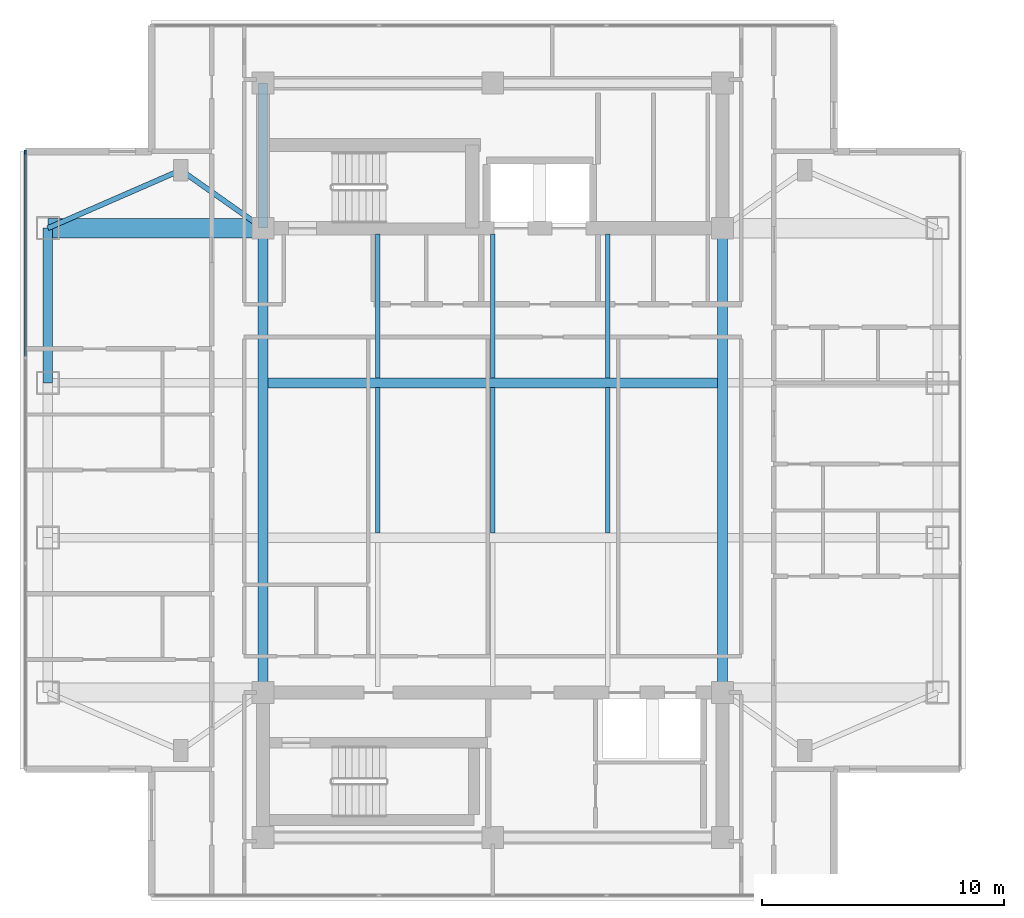
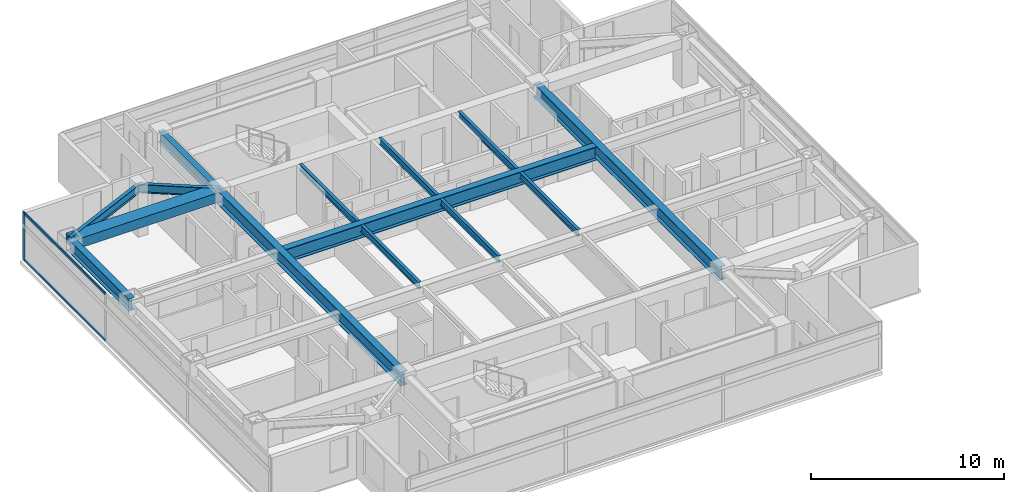
# One storey, part 3 of 23: 14 beams, 3 members, 1 element without a shape of its own.
"""IFC4 building model written with IfcOpenShell, lengths in metres."""

from ifc_helpers import new_model, si_unit, direction, frame, origin, origin_2d, place, context, subcontext, project, spatial, rectangle, i_section, extrude, material, material_profile, profile_set, type_object, element, aggregate, save


model = new_model("IFC4")

# Units and contexts
model_context = context("Model", 3, precision=1e-05, world=origin(), true_north=direction((0.0, 1.0)))
body_context = subcontext(model_context, "Body", "Model", "MODEL_VIEW")
ifc_project = project(units=[si_unit("LENGTHUNIT", "METRE"), si_unit("AREAUNIT", "SQUARE_METRE"), si_unit("VOLUMEUNIT", "CUBIC_METRE"), si_unit("PLANEANGLEUNIT", "RADIAN"), si_unit("MASSUNIT", "GRAM", prefix="KILO")], contexts=[model_context])

# Site, building, storey
site_placement = place(None, origin())
site = spatial("IfcSite", under=ifc_project, at=site_placement, CompositionType="ELEMENT")
building_placement = place(site_placement, origin())
building = spatial("IfcBuilding", under=site, at=building_placement, Name="Mirazonda Arch Towers", CompositionType="ELEMENT")
storey_placement = place(building_placement, frame((0.0, 0.0, 183.64990234375)))
storey = spatial("IfcBuildingStorey", under=building, at=storey_placement, Name="L52", CompositionType="ELEMENT", Elevation=183.64990234375)

# Beams
ifc_material_1 = material(Name="Steel ASTM A992 Grade 50", Category="steel")
ifc_material_profile_1 = material_profile(ifc_material_1, i_section(OverallWidth=0.381103515625, OverallDepth=0.77294921875, WebThickness=0.0166015625, FlangeThickness=0.027099609375, at=origin_2d()), Name="W30X173")
ifc_profile_set_1 = profile_set([ifc_material_profile_1], Name="Steel ASTM A992 Grade 50")
beam_type_1 = type_object("IfcBeamType", Name="BM-EXT-W30X173", PredefinedType="USERDEFINED", material=ifc_profile_set_1)
beam_1_placement = place(storey_placement, frame((2.10009765625, 31.199951171875, 2.66357421875), z_axis=(0.0, 1.0, 0.0), x_axis=(-1.0, 0.0, 0.0)))
element("IfcBeam", 1, at=beam_1_placement, inside=storey, type_object=beam_type_1, Name="L52 Floor Beam BM-T1-L52-NS-W-31", ObjectType="GIRDER", PredefinedType="USERDEFINED", context=body_context, shape_type="SweptSolid", body=[
    extrude(i_section(OverallWidth=0.381103515625, OverallDepth=0.77294921875, WebThickness=0.0166015625, FlangeThickness=0.027099609375, at=origin_2d()), origin(), (0.0, 0.0, 1.0), 6.400146484375),
])
ifc_material_profile_2 = material_profile(ifc_material_1, i_section(OverallWidth=0.180908203125, OverallDepth=0.4169921875, WebThickness=0.010986328125, FlangeThickness=0.018310546875, at=origin_2d()), Name="W16X57")
ifc_profile_set_2 = profile_set([ifc_material_profile_2], Name="Steel ASTM A992 Grade 50")
beam_type_2 = type_object("IfcBeamType", Name="BM-INT-W16X57", PredefinedType="JOIST", material=ifc_profile_set_2)
beam_2_placement = place(storey_placement, frame((15.75, 31.39599609375, 2.841552734375), z_axis=(0.0, 1.0, 0.0), x_axis=(-1.0, 0.0, 0.0)))
element("IfcBeam", 2, at=beam_2_placement, inside=storey, type_object=beam_type_2, Name="L52 Floor Beam BM-T1-L52-J-157-31", PredefinedType="JOIST", context=body_context, shape_type="SweptSolid", body=[
    extrude(i_section(OverallWidth=0.180908203125, OverallDepth=0.4169921875, WebThickness=0.010986328125, FlangeThickness=0.018310546875, at=origin_2d()), origin(), (0.0, 0.0, 1.0), 5.964111328125),
])
beam_3_placement = place(storey_placement, frame((15.75, 24.99609375, 2.841552734375), z_axis=(0.0, 1.0, 0.0), x_axis=(-1.0, 0.0, 0.0)))
element("IfcBeam", 3, at=beam_3_placement, inside=storey, type_object=beam_type_2, Name="L52 Floor Beam BM-T1-L52-J-157-24", PredefinedType="JOIST", context=body_context, shape_type="SweptSolid", body=[
    extrude(i_section(OverallWidth=0.180908203125, OverallDepth=0.4169921875, WebThickness=0.010986328125, FlangeThickness=0.018310546875, at=origin_2d()), origin(), (0.0, 0.0, 1.0), 6.0078125),
])
beam_4_placement = place(storey_placement, frame((20.5, 31.39599609375, 2.841552734375), z_axis=(0.0, 1.0, 0.0), x_axis=(-1.0, 0.0, 0.0)))
element("IfcBeam", 4, at=beam_4_placement, inside=storey, type_object=beam_type_2, Name="L52 Floor Beam BM-T1-L52-J-205-31", PredefinedType="JOIST", context=body_context, shape_type="SweptSolid", body=[
    extrude(i_section(OverallWidth=0.180908203125, OverallDepth=0.4169921875, WebThickness=0.010986328125, FlangeThickness=0.018310546875, at=origin_2d()), origin(), (0.0, 0.0, 1.0), 5.964111328125),
])
beam_5_placement = place(storey_placement, frame((20.5, 24.99609375, 2.841552734375), z_axis=(0.0, 1.0, 0.0), x_axis=(-1.0, 0.0, 0.0)))
element("IfcBeam", 5, at=beam_5_placement, inside=storey, type_object=beam_type_2, Name="L52 Floor Beam BM-T1-L52-J-205-24", PredefinedType="JOIST", context=body_context, shape_type="SweptSolid", body=[
    extrude(i_section(OverallWidth=0.180908203125, OverallDepth=0.4169921875, WebThickness=0.010986328125, FlangeThickness=0.018310546875, at=origin_2d()), origin(), (0.0, 0.0, 1.0), 6.0078125),
])
beam_6_placement = place(storey_placement, frame((25.25, 31.39599609375, 2.841552734375), z_axis=(0.0, 1.0, 0.0), x_axis=(-1.0, 0.0, 0.0)))
element("IfcBeam", 6, at=beam_6_placement, inside=storey, type_object=beam_type_2, Name="L52 Floor Beam BM-T1-L52-J-252-31", PredefinedType="JOIST", context=body_context, shape_type="SweptSolid", body=[
    extrude(i_section(OverallWidth=0.180908203125, OverallDepth=0.4169921875, WebThickness=0.010986328125, FlangeThickness=0.018310546875, at=origin_2d()), origin(), (0.0, 0.0, 1.0), 5.964111328125),
])
beam_7_placement = place(storey_placement, frame((25.25, 24.99609375, 2.841552734375), z_axis=(0.0, 1.0, 0.0), x_axis=(-1.0, 0.0, 0.0)))
element("IfcBeam", 7, at=beam_7_placement, inside=storey, type_object=beam_type_2, Name="L52 Floor Beam BM-T1-L52-J-252-24", PredefinedType="JOIST", context=body_context, shape_type="SweptSolid", body=[
    extrude(i_section(OverallWidth=0.180908203125, OverallDepth=0.4169921875, WebThickness=0.010986328125, FlangeThickness=0.018310546875, at=origin_2d()), origin(), (0.0, 0.0, 1.0), 6.0078125),
])
ifc_material_profile_3 = material_profile(ifc_material_1, i_section(OverallWidth=0.214111328125, OverallDepth=0.549072265625, WebThickness=0.0146484375, FlangeThickness=0.023681640625, at=origin_2d()), Name="W21X93")
ifc_profile_set_3 = profile_set([ifc_material_profile_3], Name="Steel ASTM A992 Grade 50")
beam_type_3 = type_object("IfcBeamType", Name="BM-INT-W21X93", PredefinedType="BEAM", material=ifc_profile_set_3)
beam_8_placement = place(storey_placement, frame((7.60009765625, 40.0, 2.775634765625), z_axis=(0.816971114901, -0.576678591087, 0.0), x_axis=(0.576678591087, 0.816971114901, 0.0)))
element("IfcBeam", 8, at=beam_8_placement, inside=storey, type_object=beam_type_3, Name="L52 Floor Beam BM-T1-L52-PL-NW1", PredefinedType="BEAM", context=body_context, shape_type="SweptSolid", body=[
    extrude(i_section(OverallWidth=0.214111328125, OverallDepth=0.549072265625, WebThickness=0.0146484375, FlangeThickness=0.023681640625, at=origin_2d()), origin(), (0.0, 0.0, 1.0), 4.16162109375),
])
beam_9_placement = place(storey_placement, frame((7.60009765625, 40.0, 2.775634765625), z_axis=(-0.916545343703, -0.399930785183, 0.0), x_axis=(0.399930785183, -0.916545343703, 0.0)))
element("IfcBeam", 9, at=beam_9_placement, inside=storey, type_object=beam_type_3, Name="L52 Floor Beam BM-T1-L52-PL-NW2", PredefinedType="BEAM", context=body_context, shape_type="SweptSolid", body=[
    extrude(i_section(OverallWidth=0.214111328125, OverallDepth=0.549072265625, WebThickness=0.0146484375, FlangeThickness=0.023681640625, at=origin_2d()), origin(), (0.0, 0.0, 1.0), 6.000732421875),
])
ifc_material_profile_4 = material_profile(ifc_material_1, i_section(OverallWidth=0.35498046875, OverallDepth=0.696044921875, WebThickness=0.015380859375, FlangeThickness=0.02490234375, at=origin_2d()), Name="W27X146")
ifc_profile_set_4 = profile_set([ifc_material_profile_4], Name="Steel ASTM A992 Grade 50")
beam_type_4 = type_object("IfcBeamType", Name="BM-INT-W27X146", PredefinedType="BEAM", material=ifc_profile_set_4)
beam_10_placement = place(storey_placement, frame((11.0, 37.60009765625, 2.7021484375), z_axis=(0.0, 1.0, 0.0), x_axis=(-1.0, 0.0, 0.0)))
element("IfcBeam", 10, at=beam_10_placement, inside=storey, type_object=beam_type_4, Name="L52 Floor Beam BM-T1-L52-CNW", PredefinedType="BEAM", context=body_context, shape_type="SweptSolid", body=[
    extrude(i_section(OverallWidth=0.35498046875, OverallDepth=0.696044921875, WebThickness=0.015380859375, FlangeThickness=0.02490234375, at=origin_2d()), origin(), (0.0, 0.0, 1.0), 6.0),
])
ifc_material_profile_5 = material_profile(ifc_material_1, i_section(OverallWidth=0.39990234375, OverallDepth=0.85595703125, WebThickness=0.018310546875, FlangeThickness=0.029296875, at=origin_2d()), Name="W33X201")
ifc_profile_set_5 = profile_set([ifc_material_profile_5], Name="Steel ASTM A992 Grade 50")
beam_type_5 = type_object("IfcBeamType", Name="BM-INT-W33X201", PredefinedType="USERDEFINED", material=ifc_profile_set_5)
beam_11_placement = place(storey_placement, frame((11.199951171875, 31.199951171875, 2.6220703125), z_axis=(1.0, 0.0, 0.0), x_axis=(0.0, 1.0, 0.0)))
element("IfcBeam", 11, at=beam_11_placement, inside=storey, type_object=beam_type_5, Name="L52 Floor Beam BM-T1-L52-GC3", ObjectType="GIRDER", PredefinedType="USERDEFINED", context=body_context, shape_type="SweptSolid", body=[
    extrude(i_section(OverallWidth=0.39990234375, OverallDepth=0.85595703125, WebThickness=0.018310546875, FlangeThickness=0.029296875, at=origin_2d()), origin(), (0.0, 0.0, 1.0), 18.60009765625),
])
for number, where, z_axis, x_axis, name in (
    (12, (11.0, 18.39990234375, 2.6220703125), (0.0, 1.0, 0.0), (-1.0, 0.0, 0.0), "L52 Floor Beam BM-T1-L52-NS-CW-FULL"),
    (13, (30.0, 18.39990234375, 2.6220703125), (0.0, 1.0, 0.0), (-1.0, 0.0, 0.0), "L52 Floor Beam BM-T1-L52-NS-CE-FULL"),
):
    element("IfcBeam", number, at=place(storey_placement, frame(where, z_axis=z_axis, x_axis=x_axis)), inside=storey, type_object=beam_type_5, Name=name, ObjectType="GIRDER", PredefinedType="USERDEFINED", context=body_context, shape_type="SweptSolid", body=[
        extrude(i_section(OverallWidth=0.39990234375, OverallDepth=0.85595703125, WebThickness=0.018310546875, FlangeThickness=0.029296875, at=origin_2d()), origin(), (0.0, 0.0, 1.0), 19.2001953125),
    ])
ifc_material_2 = material(Name="Concrete C60/75", Category="concrete")
ifc_material_profile_6 = material_profile(ifc_material_2, rectangle(XDim=0.800048828125, YDim=0.60009765625, at=origin_2d()), Name="RCCB800x600")
ifc_profile_set_6 = profile_set([ifc_material_profile_6], Name="Concrete C60/75")
beam_type_6 = type_object("IfcBeamType", Name="CB-INT-RCCB800x600", PredefinedType="SPANDREL", material=ifc_profile_set_6)
beam_12_placement = place(storey_placement, frame((2.10009765625, 37.60009765625, 2.75), z_axis=(1.0, 0.0, 0.0), x_axis=(0.0, 1.0, 0.0)))
element("IfcBeam", 14, at=beam_12_placement, inside=storey, type_object=beam_type_6, Name="L52 Floor Beam CBC-T1-L52-NW", PredefinedType="SPANDREL", context=body_context, shape_type="SweptSolid", body=[
    extrude(rectangle(XDim=0.800048828125, YDim=0.60009765625, at=origin_2d()), origin(), (0.0, 0.0, 1.0), 8.89990234375),
])

# Curtain wall, members
ifc_material_3 = material(Name="Anodised Aluminium and Low-E Glass", Category="aluminium")
curtain_wall_type = type_object("IfcCurtainWallType", Name="CW-RES-UNIT", PredefinedType="NOTDEFINED", material=ifc_material_3)
curtain_wall_placement = place(storey_placement, origin())
curtain_wall = element("IfcCurtainWall", 15, at=curtain_wall_placement, inside=storey, type_object=curtain_wall_type, Name="L52 T1 W Facade CW-L52-T1-W", PredefinedType="NOTDEFINED")
ifc_material_4 = material(Name="Anodised Aluminium Alloy", Category="aluminium")
ifc_material_profile_7 = material_profile(ifc_material_4, rectangle(XDim=0.074951171875, YDim=0.175048828125, at=origin_2d()), Name="ALU-MULL-75x175")
ifc_profile_set_7 = profile_set([ifc_material_profile_7], Name="Anodised Aluminium Alloy")
member_type_1 = type_object("IfcMemberType", Name="MULL-CW-RES-UNIT", PredefinedType="MULLION", material=ifc_profile_set_7)
member_1_placement = place(storey_placement, frame((1.169921875, 40.737548828125, 0.0), z_axis=(0.0, 0.0, 1.0), x_axis=(1.0, 0.0, 0.0)))
member_1 = element("IfcMember", 16, at=member_1_placement, type_object=member_type_1, Name="CW-104 mullion 1", PredefinedType="MULLION", context=body_context, shape_type="SweptSolid", body=[
    extrude(rectangle(XDim=0.074951171875, YDim=0.175048828125, at=origin_2d()), origin(), (0.0, 0.0, 1.0), 3.030029296875),
])
ifc_material_profile_8 = material_profile(ifc_material_4, rectangle(XDim=0.074951171875, YDim=0.155029296875, at=origin_2d()), Name="ALU-TRAN-75x155")
ifc_profile_set_8 = profile_set([ifc_material_profile_8], Name="Anodised Aluminium Alloy")
member_type_2 = type_object("IfcMemberType", Name="TRAN-CW-RES-UNIT", PredefinedType="USERDEFINED", material=ifc_profile_set_8)
member_2_placement = place(storey_placement, frame((1.169921875, 40.699951171875, 0.03759765625), z_axis=(0.0, -1.0, 0.0), x_axis=(1.0, 0.0, 0.0)))
member_2 = element("IfcMember", 17, at=member_2_placement, type_object=member_type_2, Name="CW-104 transom 1.1", ObjectType="TRANSOM", PredefinedType="USERDEFINED", context=body_context, shape_type="SweptSolid", body=[
    extrude(rectangle(XDim=0.074951171875, YDim=0.155029296875, at=origin_2d()), origin(), (0.0, 0.0, 1.0), 8.404052734375),
])
member_3_placement = place(storey_placement, frame((1.169921875, 40.699951171875, 2.99267578125), z_axis=(0.0, -1.0, 0.0), x_axis=(1.0, 0.0, 0.0)))
member_3 = element("IfcMember", 18, at=member_3_placement, type_object=member_type_2, Name="CW-104 transom 1.2", ObjectType="TRANSOM", PredefinedType="USERDEFINED", context=body_context, shape_type="SweptSolid", body=[
    extrude(rectangle(XDim=0.074951171875, YDim=0.155029296875, at=origin_2d()), origin(), (0.0, 0.0, 1.0), 8.404052734375),
])
aggregate(curtain_wall, [member_1, member_2, member_3])

save(model, "model.ifc")
